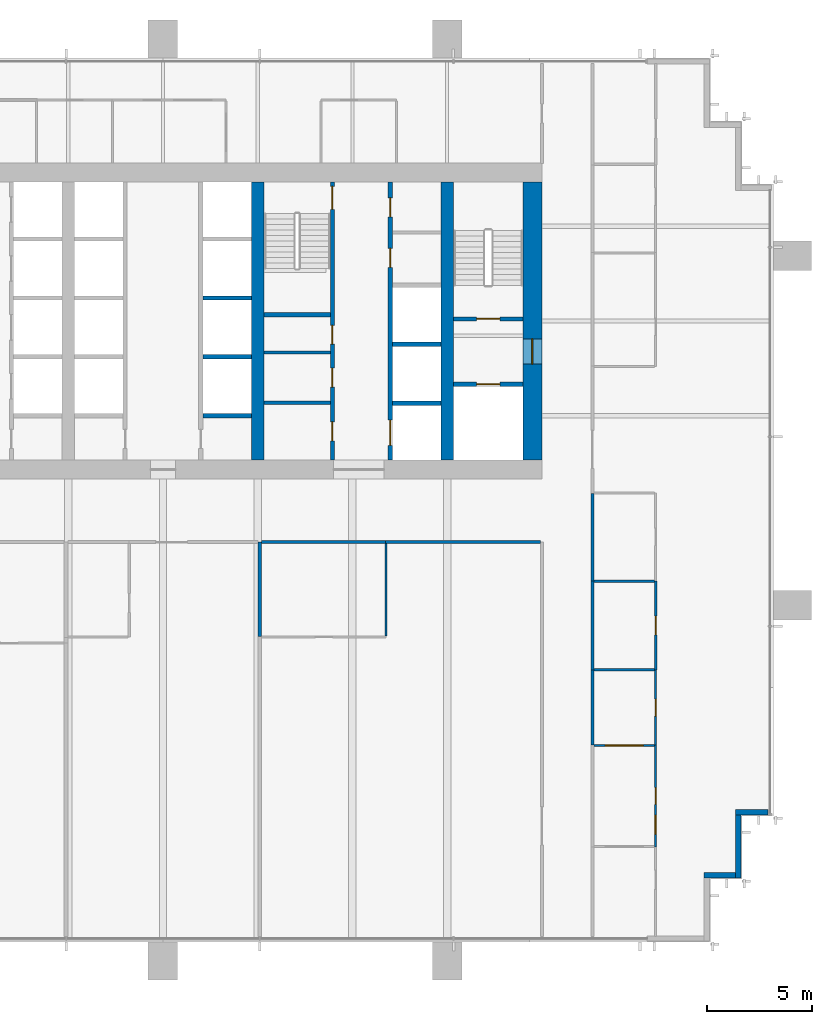
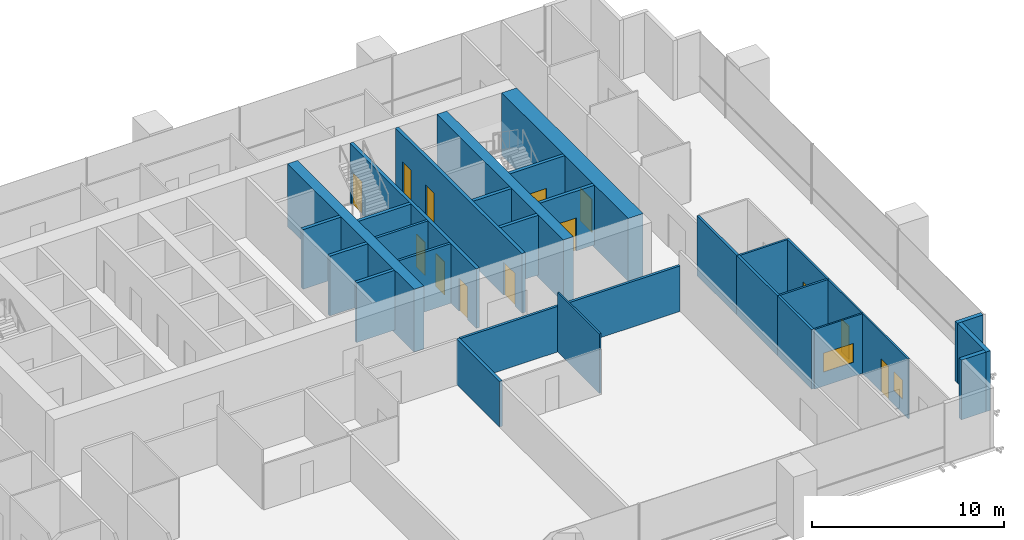
# One storey, part 12 of 15: 31 walls, 13 doors, 2 windows, 15 openings.
"""IFC4 building model written with IfcOpenShell, lengths in metres."""

import ifcopenshell
import ifcopenshell.guid

model = None  # the IFC model being written
_history = None  # IfcOwnerHistory: only IFC2X3 demands one
_inside = {}  # id of a spatial element -> (the spatial element, [elements in it])
_under = {}  # id of a project, library or spatial element -> (it, [spatial elements below it])
_declared = {}  # id of a project -> (the project, [libraries it declares])
_typed = {}  # id of a type object -> (the type object, [elements of that type])
_made_of = {}  # id of a material, layer set ... -> (it, [elements and type objects made of it])


def new_model(schema):
    """Start an empty IFC model of exactly this schema.

    Asked for "IFC4X3", IfcOpenShell would pick the latest addendum, in which some entities
    have other attributes; the version numbers below select the first issue.
    IFC2X3 requires an IfcOwnerHistory on every rooted entity: one is made here for all.
    """
    global model, _history
    if schema == "IFC4X3":
        model = ifcopenshell.file(schema_version=(4, 3, 0, 0))
    else:
        model = ifcopenshell.file(schema=schema)
    _inside.clear()
    _under.clear()
    _declared.clear()
    _typed.clear()
    _made_of.clear()
    _history = None
    if model.schema == "IFC2X3":
        org = make("IfcOrganization", Name="unknown")
        user = make(
            "IfcPersonAndOrganization",
            ThePerson=make("IfcPerson", FamilyName="unknown"),
            TheOrganization=org,
        )
        app = make(
            "IfcApplication",
            ApplicationDeveloper=org,
            Version="unknown",
            ApplicationFullName="unknown",
            ApplicationIdentifier="unknown",
        )
        _history = make(
            "IfcOwnerHistory",
            OwningUser=user,
            OwningApplication=app,
            ChangeAction="ADDED",
            CreationDate=0,
        )
    return model


def make(cls, **values):
    """One entity of the class cls with the attributes given. An attribute that is None is left unset."""
    return model.create_entity(
        cls, **{name: value for name, value in values.items() if value is not None}
    )


def rooted(cls, **values):
    """An entity with a GlobalId (a new one), such as an element, a storey or a relation."""
    return make(cls, GlobalId=ifcopenshell.guid.new(), OwnerHistory=_history, **values)


def si_unit(unit_type, name, prefix=None):
    """IfcSIUnit, for example si_unit("LENGTHUNIT", "METRE", prefix="MILLI")."""
    return make("IfcSIUnit", UnitType=unit_type, Prefix=prefix, Name=name)


def assignment(units):
    """IfcUnitAssignment: the units of a project."""
    return None if units is None else make("IfcUnitAssignment", Units=units)


def point(xyz):
    """IfcCartesianPoint."""
    return None if xyz is None else make("IfcCartesianPoint", Coordinates=xyz)


def direction(xyz):
    """IfcDirection."""
    return None if xyz is None else make("IfcDirection", DirectionRatios=xyz)


def frame(location, z_axis=None, x_axis=None):
    """IfcAxis2Placement3D, a coordinate frame: its origin and axes. An axis left out is left unset."""
    return make(
        "IfcAxis2Placement3D",
        Location=point(location),
        Axis=direction(z_axis),
        RefDirection=direction(x_axis),
    )


def frame_2d(location, x_axis=None):
    """IfcAxis2Placement2D, a coordinate frame in the plane: its origin and x axis."""
    return make(
        "IfcAxis2Placement2D", Location=point(location), RefDirection=direction(x_axis)
    )


def origin():
    """The frame at (0, 0, 0) with its axes left unset."""
    return frame((0.0, 0.0, 0.0))


def place(relative_to, where):
    """IfcLocalPlacement: puts the frame where relative to a parent placement (None: the world)."""
    return make(
        "IfcLocalPlacement", PlacementRelTo=relative_to, RelativePlacement=where
    )


def context(
    kind, dimensions, precision=None, world=None, true_north=None, identifier=None
):
    """IfcGeometricRepresentationContext, for example the 3D "Model" context."""
    return make(
        "IfcGeometricRepresentationContext",
        ContextIdentifier=identifier,
        ContextType=kind,
        CoordinateSpaceDimension=dimensions,
        Precision=precision,
        WorldCoordinateSystem=world,
        TrueNorth=true_north,
    )


def subcontext(parent, identifier, kind, view, scale=None):
    """IfcGeometricRepresentationSubContext, for example "Body" below "Model"."""
    return make(
        "IfcGeometricRepresentationSubContext",
        ContextIdentifier=identifier,
        ContextType=kind,
        ParentContext=parent,
        TargetScale=scale,
        TargetView=view,
    )


def project(units=None, contexts=None):
    """IfcProject with its units and contexts."""
    return rooted(
        "IfcProject",
        Name="project",
        RepresentationContexts=contexts,
        UnitsInContext=assignment(units),
    )


def spatial(cls, under=None, at=None, **own):
    """A site, building, storey or space (cls), placed at a placement, below another one or the project."""
    s = rooted(cls, ObjectPlacement=at, **own)
    if under is not None:
        _under.setdefault(under.id(), (under, []))[1].append(s)
    return s


def profile(cls, at=None, kind="AREA", **sizes):
    """A parametric profile (cls). Its sizes go by their IFC names, for example OverallWidth=200.0."""
    return make(cls, ProfileType=kind, Position=at, **sizes)


def rectangle(**sizes):
    """IfcRectangleProfileDef."""
    return profile("IfcRectangleProfileDef", **sizes)


def extrude(swept, where, along, depth):
    """IfcExtrudedAreaSolid: the profile swept, set in the frame where, extruded along a direction by depth."""
    return make(
        "IfcExtrudedAreaSolid",
        SweptArea=swept,
        Position=where,
        ExtrudedDirection=direction(along),
        Depth=depth,
    )


def shape(context_of_items, identifier, shape_type, items):
    """IfcShapeRepresentation: the items that make up one representation, for example the "Body"."""
    return make(
        "IfcShapeRepresentation",
        ContextOfItems=context_of_items,
        RepresentationIdentifier=identifier,
        RepresentationType=shape_type,
        Items=items,
    )


def material(Name=None, Category=None):
    """IfcMaterial."""
    return make("IfcMaterial", Name=Name, Category=Category)


def layer(
    of_material, thickness, ventilated=None, Name=None, Category=None, Priority=None
):
    """IfcMaterialLayer: one layer of a wall or slab, of a material (None: an air gap)."""
    return make(
        "IfcMaterialLayer",
        Material=of_material,
        LayerThickness=thickness,
        IsVentilated=ventilated,
        Name=Name,
        Category=Category,
        Priority=Priority,
    )


def layer_set(layers, Name=None):
    """IfcMaterialLayerSet."""
    return make("IfcMaterialLayerSet", MaterialLayers=layers, LayerSetName=Name)


def made_of(thing, what):
    """Note that an element or type object is made of a material, layer set ...; save() writes the relation."""
    if what is not None:
        _made_of.setdefault(what.id(), (what, []))[1].append(thing)
    return thing


def type_object(cls, material=None, **own):
    """A type object (cls), such as IfcWallType, which elements share."""
    return made_of(rooted(cls, **own), material)


def element(
    cls,
    number,
    at=None,
    inside=None,
    cuts=None,
    type_object=None,
    material=None,
    context=None,
    identifier="Body",
    shape_type=None,
    held_by="IfcProductDefinitionShape",
    body=None,
    shapes=None,
    **own,
):
    """One element of the class cls, such as IfcWall. Its Tag is "e" and its number.

    at: its placement. inside: the storey or other place that contains it. cuts: it is an
    opening in that element (IfcRelVoidsElement). A single representation is given by context,
    identifier, shape_type and body (its items); several are given by shapes. held_by: the class
    of the entity that holds the representations. save() writes the other relations.
    """
    e = rooted(cls, Tag="e%d" % number, ObjectPlacement=at, **own)
    if body is not None:
        shapes = [shape(context, identifier, shape_type, body)]
    if shapes is not None:
        e.Representation = make(held_by, Representations=shapes)
    if inside is not None:
        _inside.setdefault(inside.id(), (inside, []))[1].append(e)
    if cuts is not None:
        rooted(
            "IfcRelVoidsElement", RelatingBuildingElement=cuts, RelatedOpeningElement=e
        )
    if type_object is not None:
        _typed.setdefault(type_object.id(), (type_object, []))[1].append(e)
    return made_of(e, material)


def fill(opening, filler):
    """IfcRelFillsElement: the door or window that sits in an opening."""
    return rooted(
        "IfcRelFillsElement",
        RelatingOpeningElement=opening,
        RelatedBuildingElement=filler,
    )


def aggregate(whole, parts):
    """IfcRelAggregates: a whole, such as a stair, and the parts it consists of."""
    return rooted("IfcRelAggregates", RelatingObject=whole, RelatedObjects=parts)


def save(model, path):
    """Write the relations noted so far, then the file.

    IfcRelAggregates (storeys below a building ...), IfcRelContainedInSpatialStructure (elements
    in a storey), IfcRelDefinesByType, IfcRelAssociatesMaterial and IfcRelDeclares: one each for
    every whole, place, type object, material and project.
    """
    for whole, parts in _under.values():
        aggregate(whole, parts)
    for where, things in _inside.values():
        rooted(
            "IfcRelContainedInSpatialStructure",
            RelatedElements=things,
            RelatingStructure=where,
        )
    for kind, things in _typed.values():
        rooted("IfcRelDefinesByType", RelatedObjects=things, RelatingType=kind)
    for what, things in _made_of.values():
        rooted("IfcRelAssociatesMaterial", RelatedObjects=things, RelatingMaterial=what)
    for by, libraries in _declared.values():
        rooted("IfcRelDeclares", RelatingContext=by, RelatedDefinitions=libraries)
    model.write(path)


model = new_model("IFC4")

# Units and contexts
model_context = context("Model", 3, precision=1e-05, world=origin(), true_north=direction((0.0, 1.0)))
body_context = subcontext(model_context, "Body", "Model", "MODEL_VIEW")
ifc_project = project(units=[si_unit("LENGTHUNIT", "METRE"), si_unit("AREAUNIT", "SQUARE_METRE"), si_unit("VOLUMEUNIT", "CUBIC_METRE"), si_unit("PLANEANGLEUNIT", "RADIAN"), si_unit("MASSUNIT", "GRAM", prefix="KILO")], contexts=[model_context])

# Site, building, storey
site_placement = place(None, origin())
site = spatial("IfcSite", under=ifc_project, at=site_placement, CompositionType="ELEMENT")
building_placement = place(site_placement, origin())
building = spatial("IfcBuilding", under=site, at=building_placement, Name="Rattan Terrace Tower", CompositionType="ELEMENT")
storey_placement = place(building_placement, frame((0.0, 0.0, 142.10009765625)))
storey = spatial("IfcBuildingStorey", under=building, at=storey_placement, Name="L32", CompositionType="ELEMENT", Elevation=142.10009765625)

# Walls
ifc_material_1 = material(Name="Gypsum board partition")
ifc_layer_1 = layer(ifc_material_1, 0.14990234375)
ifc_layer_set_1 = layer_set([ifc_layer_1], Name="Core partition 150")
wall_type_1 = type_object("IfcWallType", Name="Core partition 150", PredefinedType="PARTITIONING", material=ifc_layer_set_1)
for number, where, z_axis, x_axis, name in (
    (1, (4.800048828125, -3.8798828125, 0.0), (0.0, 0.0, 1.0), (1.0, 0.0, 0.0), "Toilet wall"),
    (2, (4.800048828125, -1.5, 0.0), (0.0, 0.0, 1.0), (1.0, 0.0, 0.0), "Toilet wall"),
):
    element("IfcWall", number, at=place(storey_placement, frame(where, z_axis=z_axis, x_axis=x_axis)), inside=storey, type_object=wall_type_1, Name=name, PredefinedType="PARTITIONING", context=body_context, shape_type="SweptSolid", body=[
        extrude(rectangle(XDim=3.14990234375, YDim=0.14990234375, at=frame_2d((1.574951171875, 0.0))), origin(), (0.0, 0.0, 1.0), 3.7998046875),
    ])

# Wall, opening, door
ifc_material_2 = material(Name="Gypsum board partition")
ifc_layer_2 = layer(ifc_material_2, 0.199951171875)
ifc_layer_set_2 = layer_set([ifc_layer_2], Name="Core partition 200")
wall_type_2 = type_object("IfcWallType", Name="Core partition 200", PredefinedType="PARTITIONING", material=ifc_layer_set_2)
wall_1_placement = place(storey_placement, frame((13.800048828125, -3.0, 0.0), z_axis=(0.0, 0.0, 1.0), x_axis=(1.0, 0.0, 0.0)))
wall_1 = element("IfcWall", 3, at=wall_1_placement, inside=storey, type_object=wall_type_2, Name="Fire-fighting lobby wall", PredefinedType="PARTITIONING", context=body_context, shape_type="SweptSolid", body=[
    extrude(rectangle(XDim=3.300048828125, YDim=0.199951171875, at=frame_2d((1.64990234375, 0.0))), origin(), (0.0, 0.0, 1.0), 3.7998046875),
])
opening_1_placement = place(wall_1_placement, frame((1.10009765625, 0.0, 0.0)))
opening_1 = element("IfcOpeningElement", 4, at=opening_1_placement, cuts=wall_1, Name="Opening L32-LD-FF2", PredefinedType="OPENING", context=body_context, shape_type="SweptSolid", body=[
    extrude(rectangle(XDim=1.10009765625, YDim=2.10009765625, at=frame_2d((0.550048828125, 1.050048828125))), frame((0.0, 0.110595703125, 0.0), z_axis=(0.0, -1.0, 0.0), x_axis=(1.0, 0.0, 0.0)), (0.0, 0.0, 1.0), 0.220947265625),
])
ifc_material_3 = material(Name="Brushed stainless landing door panel")
door_type_1 = type_object("IfcDoorType", Name="Core lift landing door 1100", OperationType="DOUBLE_DOOR_SLIDING", PredefinedType="DOOR", material=ifc_material_3)
door_1_placement = place(opening_1_placement, origin())
door_1 = element("IfcDoor", 5, at=door_1_placement, inside=storey, type_object=door_type_1, Name="Door L32-LD-FF2", OperationType="DOUBLE_DOOR_SLIDING", OverallHeight=2.10009765625, OverallWidth=1.10009765625, PredefinedType="DOOR", context=body_context, shape_type="SweptSolid", body=[
    extrude(rectangle(XDim=1.10009765625, YDim=2.10009765625, at=frame_2d((0.550048828125, 1.050048828125))), frame((0.0, 0.02490234375, 0.0), z_axis=(0.0, -1.0, 0.0), x_axis=(1.0, 0.0, 0.0)), (0.0, 0.0, 1.0), 0.050048828125),
])
fill(opening_1, door_1)

wall_2_placement = place(storey_placement, frame((13.800048828125, 0.10009765625, 0.0), z_axis=(0.0, 0.0, 1.0), x_axis=(1.0, 0.0, 0.0)))
wall_2 = element("IfcWall", 6, at=wall_2_placement, inside=storey, type_object=wall_type_2, Name="Stair enclosure wall", PredefinedType="PARTITIONING", context=body_context, shape_type="SweptSolid", body=[
    extrude(rectangle(XDim=3.300048828125, YDim=0.199951171875, at=frame_2d((1.64990234375, 0.0))), origin(), (0.0, 0.0, 1.0), 3.7998046875),
])
opening_2_placement = place(wall_2_placement, frame((1.10009765625, 0.0, 0.0)))
opening_2 = element("IfcOpeningElement", 7, at=opening_2_placement, cuts=wall_2, Name="Opening L32-D004", PredefinedType="OPENING", context=body_context, shape_type="SweptSolid", body=[
    extrude(rectangle(XDim=1.10009765625, YDim=2.10009765625, at=frame_2d((0.550048828125, 1.050048828125))), frame((0.0, 0.110595703125, 0.0), z_axis=(0.0, -1.0, 0.0), x_axis=(1.0, 0.0, 0.0)), (0.0, 0.0, 1.0), 0.220947265625),
])
ifc_material_4 = material(Name="Hollow-metal fire door leaf")
door_type_2 = type_object("IfcDoorType", Name="Core stair door 1100", OperationType="NOTDEFINED", PredefinedType="DOOR", material=ifc_material_4)
door_2_placement = place(opening_2_placement, origin())
door_2 = element("IfcDoor", 8, at=door_2_placement, inside=storey, type_object=door_type_2, Name="Door L32-D004", OperationType="SINGLE_SWING_RIGHT", OverallHeight=2.10009765625, OverallWidth=1.10009765625, PredefinedType="DOOR", context=body_context, shape_type="SweptSolid", body=[
    extrude(rectangle(XDim=1.10009765625, YDim=2.10009765625, at=frame_2d((0.550048828125, 1.050048828125))), frame((0.0, 0.02490234375, 0.0), z_axis=(0.0, -1.0, 0.0), x_axis=(1.0, 0.0, 0.0)), (0.0, 0.0, 1.0), 0.050048828125),
])
fill(opening_2, door_2)

# Wall, openings, doors
wall_3_placement = place(storey_placement, frame((8.050048828125, -6.60009765625, 0.0), z_axis=(0.0, 0.0, 1.0), x_axis=(0.0, 1.0, 0.0)))
wall_3 = element("IfcWall", 9, at=wall_3_placement, inside=storey, type_object=wall_type_2, Name="Lobby wall west", PredefinedType="PARTITIONING", context=body_context, shape_type="SweptSolid", body=[
    extrude(rectangle(XDim=13.2001953125, YDim=0.199951171875, at=frame_2d((6.60009765625, 0.0))), origin(), (0.0, 0.0, 1.0), 3.7998046875),
])
opening_3_placement = place(wall_3_placement, frame((0.909912109375, 0.0, 0.0)))
opening_3 = element("IfcOpeningElement", 10, at=opening_3_placement, cuts=wall_3, Name="Opening L32-D011", PredefinedType="OPENING", context=body_context, shape_type="SweptSolid", body=[
    extrude(rectangle(XDim=0.89990234375, YDim=2.10009765625, at=frame_2d((0.449951171875, 1.050048828125))), frame((0.0, 0.110595703125, 0.0), z_axis=(0.0, -1.0, 0.0), x_axis=(1.0, 0.0, 0.0)), (0.0, 0.0, 1.0), 0.220947265625),
])
opening_4_placement = place(wall_3_placement, frame((3.4599609375, 0.0, 0.0)))
opening_4 = element("IfcOpeningElement", 11, at=opening_4_placement, cuts=wall_3, Name="Opening L32-D012", PredefinedType="OPENING", context=body_context, shape_type="SweptSolid", body=[
    extrude(rectangle(XDim=0.89990234375, YDim=2.10009765625, at=frame_2d((0.449951171875, 1.050048828125))), frame((0.0, 0.110595703125, 0.0), z_axis=(0.0, -1.0, 0.0), x_axis=(1.0, 0.0, 0.0)), (0.0, 0.0, 1.0), 0.220947265625),
])
opening_5_placement = place(wall_3_placement, frame((5.5, 0.0, 0.0)))
opening_5 = element("IfcOpeningElement", 12, at=opening_5_placement, cuts=wall_3, Name="Opening L32-D013", PredefinedType="OPENING", context=body_context, shape_type="SweptSolid", body=[
    extrude(rectangle(XDim=0.89990234375, YDim=2.10009765625, at=frame_2d((0.449951171875, 1.050048828125))), frame((0.0, 0.110595703125, 0.0), z_axis=(0.0, -1.0, 0.0), x_axis=(1.0, 0.0, 0.0)), (0.0, 0.0, 1.0), 0.220947265625),
])
opening_6_placement = place(wall_3_placement, frame((11.89990234375, 0.0, 0.0)))
opening_6 = element("IfcOpeningElement", 13, at=opening_6_placement, cuts=wall_3, Name="Opening L32-D014", PredefinedType="OPENING", context=body_context, shape_type="SweptSolid", body=[
    extrude(rectangle(XDim=1.10009765625, YDim=2.10009765625, at=frame_2d((0.550048828125, 1.050048828125))), frame((0.0, 0.110595703125, 0.0), z_axis=(0.0, -1.0, 0.0), x_axis=(1.0, 0.0, 0.0)), (0.0, 0.0, 1.0), 0.220947265625),
])
ifc_material_5 = material(Name="Hollow-metal fire door leaf")
door_type_3 = type_object("IfcDoorType", Name="Core service room door 900", OperationType="NOTDEFINED", PredefinedType="DOOR", material=ifc_material_5)
door_3_placement = place(opening_5_placement, origin())
door_3 = element("IfcDoor", 14, at=door_3_placement, inside=storey, type_object=door_type_3, Name="Door L32-D013", OperationType="SINGLE_SWING_RIGHT", OverallHeight=2.10009765625, OverallWidth=0.89990234375, PredefinedType="DOOR", context=body_context, shape_type="SweptSolid", body=[
    extrude(rectangle(XDim=0.89990234375, YDim=2.10009765625, at=frame_2d((0.449951171875, 1.050048828125))), frame((0.0, 0.02490234375, 0.0), z_axis=(0.0, -1.0, 0.0), x_axis=(1.0, 0.0, 0.0)), (0.0, 0.0, 1.0), 0.050048828125),
])
fill(opening_5, door_3)
door_4_placement = place(opening_6_placement, origin())
door_4 = element("IfcDoor", 15, at=door_4_placement, inside=storey, type_object=door_type_2, Name="Door L32-D014", OperationType="SINGLE_SWING_LEFT", OverallHeight=2.10009765625, OverallWidth=1.10009765625, PredefinedType="DOOR", context=body_context, shape_type="SweptSolid", body=[
    extrude(rectangle(XDim=1.10009765625, YDim=2.10009765625, at=frame_2d((0.550048828125, 1.050048828125))), frame((0.0, 0.02490234375, 0.0), z_axis=(0.0, -1.0, 0.0), x_axis=(1.0, 0.0, 0.0)), (0.0, 0.0, 1.0), 0.050048828125),
])
fill(opening_6, door_4)
ifc_material_6 = material(Name="Hollow-metal fire door leaf")
door_type_4 = type_object("IfcDoorType", Name="Core toilet door 900", OperationType="NOTDEFINED", PredefinedType="DOOR", material=ifc_material_6)
door_5_placement = place(opening_3_placement, origin())
door_5 = element("IfcDoor", 16, at=door_5_placement, inside=storey, type_object=door_type_4, Name="Door L32-D011", OperationType="SINGLE_SWING_RIGHT", OverallHeight=2.10009765625, OverallWidth=0.89990234375, PredefinedType="DOOR", context=body_context, shape_type="SweptSolid", body=[
    extrude(rectangle(XDim=0.89990234375, YDim=2.10009765625, at=frame_2d((0.449951171875, 1.050048828125))), frame((0.0, 0.02490234375, 0.0), z_axis=(0.0, -1.0, 0.0), x_axis=(1.0, 0.0, 0.0)), (0.0, 0.0, 1.0), 0.050048828125),
])
fill(opening_3, door_5)
door_6_placement = place(opening_4_placement, origin())
door_6 = element("IfcDoor", 17, at=door_6_placement, inside=storey, type_object=door_type_4, Name="Door L32-D012", OperationType="SINGLE_SWING_LEFT", OverallHeight=2.10009765625, OverallWidth=0.89990234375, PredefinedType="DOOR", context=body_context, shape_type="SweptSolid", body=[
    extrude(rectangle(XDim=0.89990234375, YDim=2.10009765625, at=frame_2d((0.449951171875, 1.050048828125))), frame((0.0, 0.02490234375, 0.0), z_axis=(0.0, -1.0, 0.0), x_axis=(1.0, 0.0, 0.0)), (0.0, 0.0, 1.0), 0.050048828125),
])
fill(opening_4, door_6)

# Wall
wall_4_placement = place(storey_placement, frame((4.800048828125, 0.300048828125, 0.0), z_axis=(0.0, 0.0, 1.0), x_axis=(1.0, 0.0, 0.0)))
element("IfcWall", 18, at=wall_4_placement, inside=storey, type_object=wall_type_2, Name="Stair enclosure wall", PredefinedType="PARTITIONING", context=body_context, shape_type="SweptSolid", body=[
    extrude(rectangle(XDim=3.14990234375, YDim=0.199951171875, at=frame_2d((1.574951171875, 0.0))), origin(), (0.0, 0.0, 1.0), 3.7998046875),
])

# Wall, opening, door
ifc_material_7 = material(Name="Concrete C60/75", Category="concrete")
ifc_layer_3 = layer(ifc_material_7, 0.89990234375)
ifc_layer_set_3 = layer_set([ifc_layer_3], Name="Core ring wall 900 C60/75")
wall_type_3 = type_object("IfcWallType", Name="Core ring wall 900 C60/75", PredefinedType="SHEAR", material=ifc_layer_set_3)
wall_5_placement = place(storey_placement, frame((17.550048828125, -6.60009765625, -0.2001953125), z_axis=(0.0, 0.0, 1.0), x_axis=(0.0, 1.0, 0.0)))
wall_5 = element("IfcWall", 19, at=wall_5_placement, inside=storey, type_object=wall_type_3, Name="Rear core wall east", PredefinedType="SHEAR", context=body_context, shape_type="SweptSolid", body=[
    extrude(rectangle(XDim=13.2001953125, YDim=0.89990234375, at=frame_2d((6.60009765625, 0.0))), origin(), (0.0, 0.0, 1.0), 4.0),
])
opening_7_placement = place(wall_5_placement, frame((4.550048828125, 0.0, 0.199951171875)))
opening_7 = element("IfcOpeningElement", 20, at=opening_7_placement, cuts=wall_5, Name="Opening L32-D003", PredefinedType="OPENING", context=body_context, shape_type="SweptSolid", body=[
    extrude(rectangle(XDim=1.199951171875, YDim=2.10009765625, at=frame_2d((0.60009765625, 1.050048828125))), frame((0.0, 0.46044921875, 0.0), z_axis=(0.0, -1.0, 0.0), x_axis=(1.0, 0.0, 0.0)), (0.0, 0.0, 1.0), 0.9208984375),
])
ifc_material_8 = material(Name="Hollow-metal fire door leaf")
door_type_5 = type_object("IfcDoorType", Name="Core fire-fighting lobby door 1200", OperationType="NOTDEFINED", PredefinedType="DOOR", material=ifc_material_8)
door_7_placement = place(opening_7_placement, origin())
door_7 = element("IfcDoor", 21, at=door_7_placement, inside=storey, type_object=door_type_5, Name="Door L32-D003", OperationType="SINGLE_SWING_LEFT", OverallHeight=2.10009765625, OverallWidth=1.199951171875, PredefinedType="DOOR", context=body_context, shape_type="SweptSolid", body=[
    extrude(rectangle(XDim=1.199951171875, YDim=2.10009765625, at=frame_2d((0.60009765625, 1.050048828125))), frame((0.0, 0.02490234375, 0.0), z_axis=(0.0, -1.0, 0.0), x_axis=(1.0, 0.0, 0.0)), (0.0, 0.0, 1.0), 0.050048828125),
])
fill(opening_7, door_7)

# Walls
ifc_material_9 = material(Name="Concrete C60/75", Category="concrete")
ifc_layer_4 = layer(ifc_material_9, 0.60009765625)
ifc_layer_set_4 = layer_set([ifc_layer_4], Name="Core spine wall 600 C60/75")
wall_type_4 = type_object("IfcWallType", Name="Core spine wall 600 C60/75", PredefinedType="SHEAR", material=ifc_layer_set_4)
for number, where, z_axis, x_axis, name in (
    (22, (4.5, -6.60009765625, -0.2001953125), (0.0, 0.0, 1.0), (0.0, 1.0, 0.0), "Core spine wall 3"),
    (23, (13.5, -6.60009765625, -0.2001953125), (0.0, 0.0, 1.0), (0.0, 1.0, 0.0), "Core spine wall 4"),
):
    element("IfcWall", number, at=place(storey_placement, frame(where, z_axis=z_axis, x_axis=x_axis)), inside=storey, type_object=wall_type_4, Name=name, PredefinedType="SHEAR", context=body_context, shape_type="SweptSolid", body=[
        extrude(rectangle(XDim=13.2001953125, YDim=0.60009765625, at=frame_2d((6.60009765625, 0.0))), origin(), (0.0, 0.0, 1.0), 4.0),
    ])
ifc_material_10 = material(Name="Insulated aluminium-clad stud wall", Category="aluminium")
ifc_layer_5 = layer(ifc_material_10, 0.25)
ifc_layer_set_5 = layer_set([ifc_layer_5], Name="Facade Riser Wall 250")
wall_type_5 = type_object("IfcWallType", Name="Facade Riser Wall 250", PredefinedType="SOLIDWALL", material=ifc_layer_set_5)
wall_6_placement = place(storey_placement, frame((25.705078125, -26.330078125, 0.0), z_axis=(0.0, 0.0, 1.0), x_axis=(1.0, 0.0, 0.0)))
element("IfcWall", 24, at=wall_6_placement, inside=storey, type_object=wall_type_5, Name="Riser wall L32-3", PredefinedType="SOLIDWALL", context=body_context, shape_type="SweptSolid", body=[
    extrude(rectangle(XDim=1.5, YDim=0.25, at=frame_2d((0.75, 0.0))), origin(), (0.0, 0.0, 1.0), 3.7998046875),
])
wall_7_placement = place(storey_placement, frame((27.330078125, -26.455078125, 0.0), z_axis=(0.0, 0.0, 1.0), x_axis=(0.0, 1.0, 0.0)))
element("IfcWall", 25, at=wall_7_placement, inside=storey, type_object=wall_type_5, Name="Riser wall L32-4", PredefinedType="SOLIDWALL", context=body_context, shape_type="SweptSolid", body=[
    extrude(rectangle(XDim=3.0, YDim=0.25, at=frame_2d((1.5, 0.0))), origin(), (0.0, 0.0, 1.0), 3.7998046875),
])
wall_8_placement = place(storey_placement, frame((27.205078125, -23.330078125, 0.0), z_axis=(0.0, 0.0, 1.0), x_axis=(1.0, 0.0, 0.0)))
element("IfcWall", 26, at=wall_8_placement, inside=storey, type_object=wall_type_5, Name="Riser wall L32-5", PredefinedType="SOLIDWALL", context=body_context, shape_type="SweptSolid", body=[
    extrude(rectangle(XDim=1.544921875, YDim=0.25, at=frame_2d((0.7724609375, 0.0))), origin(), (0.0, 0.0, 1.0), 3.7998046875),
])
ifc_material_11 = material(Name="Double steel stud acoustic partition, gypsum board, mineral wool, fire rated", Category="steel")
ifc_layer_6 = layer(ifc_material_11, 0.179931640625)
ifc_layer_set_6 = layer_set([ifc_layer_6], Name="Floors Acoustic Party Wall 180")
wall_type_6 = type_object("IfcWallType", Name="Floors Acoustic Party Wall 180", PredefinedType="PARTITIONING", material=ifc_layer_set_6)
wall_9_placement = place(storey_placement, frame((4.60009765625, -10.5, 0.0), z_axis=(0.0, 0.0, 1.0), x_axis=(0.0, -1.0, 0.0)))
element("IfcWall", 27, at=wall_9_placement, inside=storey, type_object=wall_type_6, Name="pt-L32-082", PredefinedType="PARTITIONING", context=body_context, shape_type="SweptSolid", body=[
    extrude(rectangle(XDim=4.47998046875, YDim=0.179931640625, at=frame_2d((2.239990234375, 0.0))), origin(), (0.0, 0.0, 1.0), 2.89990234375),
])

# Wall, openings, door, window
ifc_material_12 = material(Name="Gypsum board partition on steel studs", Category="steel")
ifc_layer_7 = layer(ifc_material_12, 0.10009765625)
ifc_layer_set_7 = layer_set([ifc_layer_7], Name="Floors Partition 100")
wall_type_7 = type_object("IfcWallType", Name="Floors Partition 100", PredefinedType="PARTITIONING", material=ifc_layer_set_7)
wall_10_placement = place(storey_placement, frame((23.39990234375, -24.97998046875, 0.0), z_axis=(0.0, 0.0, 1.0), x_axis=(0.0, 1.0, 0.0)))
wall_10 = element("IfcWall", 28, at=wall_10_placement, inside=storey, type_object=wall_type_7, Name="pt-L32-046", PredefinedType="PARTITIONING", context=body_context, shape_type="SweptSolid", body=[
    extrude(rectangle(XDim=4.840087890625, YDim=0.10009765625, at=frame_2d((2.419921875, 0.0))), origin(), (0.0, 0.0, 1.0), 3.7998046875),
])
opening_8_placement = place(wall_10_placement, frame((2.02001953125, 0.0, 0.0)))
opening_8 = element("IfcOpeningElement", 29, at=opening_8_placement, cuts=wall_10, Name="Opening L32-D110", PredefinedType="OPENING", context=body_context, shape_type="SweptSolid", body=[
    extrude(rectangle(XDim=0.800048828125, YDim=2.10009765625, at=frame_2d((0.39990234375, 1.050048828125))), frame((0.0, 0.060546875, 0.0), z_axis=(0.0, -1.0, 0.0), x_axis=(1.0, 0.0, 0.0)), (0.0, 0.0, 1.0), 0.12109375),
])
opening_9_placement = place(wall_10_placement, frame((0.594970703125, 0.0, 0.89990234375)))
opening_9 = element("IfcOpeningElement", 30, at=opening_9_placement, cuts=wall_10, Name="Opening L32-W101", PredefinedType="OPENING", context=body_context, shape_type="SweptSolid", body=[
    extrude(rectangle(XDim=0.89990234375, YDim=1.199951171875, at=frame_2d((0.449951171875, 0.60009765625))), frame((0.0, 0.060546875, 0.0), z_axis=(0.0, -1.0, 0.0), x_axis=(1.0, 0.0, 0.0)), (0.0, 0.0, 1.0), 0.12109375),
])
ifc_material_13 = material(Name="Solid core timber door, painted", Category="wood")
door_type_6 = type_object("IfcDoorType", Name="Floors Store Door 800x2100", OperationType="NOTDEFINED", PredefinedType="DOOR", material=ifc_material_13)
door_8_placement = place(opening_8_placement, origin())
door_8 = element("IfcDoor", 31, at=door_8_placement, inside=storey, type_object=door_type_6, Name="d-L32-110", OperationType="SINGLE_SWING_LEFT", OverallHeight=2.10009765625, OverallWidth=0.800048828125, PredefinedType="DOOR", context=body_context, shape_type="SweptSolid", body=[
    extrude(rectangle(XDim=0.800048828125, YDim=2.10009765625, at=frame_2d((0.39990234375, 1.050048828125))), frame((0.0, 0.02490234375, 0.0), z_axis=(0.0, -1.0, 0.0), x_axis=(1.0, 0.0, 0.0)), (0.0, 0.0, 1.0), 0.050048828125),
])
fill(opening_8, door_8)
ifc_material_14 = material(Name="Glass, clear, fixed in aluminium frame", Category="aluminium")
window_type_1 = type_object("IfcWindowType", Name="Interior Vision Window 900x1200", PartitioningType="SINGLE_PANEL", PredefinedType="WINDOW", material=ifc_material_14)
window_1_placement = place(opening_9_placement, origin())
window_1 = element("IfcWindow", 32, at=window_1_placement, inside=storey, type_object=window_type_1, Name="w-L32-101", OverallHeight=1.199951171875, OverallWidth=0.89990234375, PartitioningType="SINGLE_PANEL", PredefinedType="WINDOW", context=body_context, shape_type="SweptSolid", body=[
    extrude(rectangle(XDim=0.89990234375, YDim=1.199951171875, at=frame_2d((0.449951171875, 0.60009765625))), frame((0.0, 0.030029296875, 0.0), z_axis=(0.0, -1.0, 0.0), x_axis=(1.0, 0.0, 0.0)), (0.0, 0.0, 1.0), 0.06005859375),
])
fill(opening_9, window_1)

# Wall, opening, door
wall_11_placement = place(storey_placement, frame((23.39990234375, -20.139892578125, 0.0), z_axis=(0.0, 0.0, 1.0), x_axis=(0.0, 1.0, 0.0)))
wall_11 = element("IfcWall", 33, at=wall_11_placement, inside=storey, type_object=wall_type_7, Name="pt-L32-047", PredefinedType="PARTITIONING", context=body_context, shape_type="SweptSolid", body=[
    extrude(rectangle(XDim=3.559814453125, YDim=0.10009765625, at=frame_2d((1.77978515625, 0.0))), origin(), (0.0, 0.0, 1.0), 3.7998046875),
])
opening_10_placement = place(wall_11_placement, frame((1.3798828125, 0.0, 0.0)))
opening_10 = element("IfcOpeningElement", 34, at=opening_10_placement, cuts=wall_11, Name="Opening L32-D111", PredefinedType="OPENING", context=body_context, shape_type="SweptSolid", body=[
    extrude(rectangle(XDim=0.800048828125, YDim=2.10009765625, at=frame_2d((0.39990234375, 1.050048828125))), frame((0.0, 0.060546875, 0.0), z_axis=(0.0, -1.0, 0.0), x_axis=(1.0, 0.0, 0.0)), (0.0, 0.0, 1.0), 0.12109375),
])
door_9_placement = place(opening_10_placement, origin())
door_9 = element("IfcDoor", 35, at=door_9_placement, inside=storey, type_object=door_type_6, Name="d-L32-111", OperationType="SINGLE_SWING_RIGHT", OverallHeight=2.10009765625, OverallWidth=0.800048828125, PredefinedType="DOOR", context=body_context, shape_type="SweptSolid", body=[
    extrude(rectangle(XDim=0.800048828125, YDim=2.10009765625, at=frame_2d((0.39990234375, 1.050048828125))), frame((0.0, 0.02490234375, 0.0), z_axis=(0.0, -1.0, 0.0), x_axis=(1.0, 0.0, 0.0)), (0.0, 0.0, 1.0), 0.050048828125),
])
fill(opening_10, door_9)

# Wall, opening, window
wall_12_placement = place(storey_placement, frame((20.47509765625, -20.159912109375, 0.0), z_axis=(0.0, 0.0, 1.0), x_axis=(1.0, 0.0, 0.0)))
wall_12 = element("IfcWall", 36, at=wall_12_placement, inside=storey, type_object=wall_type_7, Name="pt-L32-056", PredefinedType="PARTITIONING", context=body_context, shape_type="SweptSolid", body=[
    extrude(rectangle(XDim=2.875, YDim=0.10009765625, at=frame_2d((1.4375, 0.0))), origin(), (0.0, 0.0, 1.0), 3.7998046875),
])
opening_11_placement = place(wall_12_placement, frame((0.537109375, 0.0, 0.89990234375)))
opening_11 = element("IfcOpeningElement", 37, at=opening_11_placement, cuts=wall_12, Name="Opening L32-W103", PredefinedType="OPENING", context=body_context, shape_type="SweptSolid", body=[
    extrude(rectangle(XDim=1.800048828125, YDim=1.199951171875, at=frame_2d((0.89990234375, 0.60009765625))), frame((0.0, 0.060546875, 0.0), z_axis=(0.0, -1.0, 0.0), x_axis=(1.0, 0.0, 0.0)), (0.0, 0.0, 1.0), 0.12109375),
])
ifc_material_15 = material(Name="Glass, clear, fixed in aluminium frame", Category="aluminium")
window_type_2 = type_object("IfcWindowType", Name="Interior Vision Window 1800x1200", PartitioningType="SINGLE_PANEL", PredefinedType="WINDOW", material=ifc_material_15)
window_2_placement = place(opening_11_placement, origin())
window_2 = element("IfcWindow", 38, at=window_2_placement, inside=storey, type_object=window_type_2, Name="w-L32-103", OverallHeight=1.199951171875, OverallWidth=1.800048828125, PartitioningType="SINGLE_PANEL", PredefinedType="WINDOW", context=body_context, shape_type="SweptSolid", body=[
    extrude(rectangle(XDim=1.800048828125, YDim=1.199951171875, at=frame_2d((0.89990234375, 0.60009765625))), frame((0.0, 0.030029296875, 0.0), z_axis=(0.0, -1.0, 0.0), x_axis=(1.0, 0.0, 0.0)), (0.0, 0.0, 1.0), 0.06005859375),
])
fill(opening_11, window_2)

# Walls
wall_13_placement = place(storey_placement, frame((10.60009765625, -14.949951171875, 0.0), z_axis=(0.0, 0.0, 1.0), x_axis=(0.0, 1.0, 0.0)))
element("IfcWall", 39, at=wall_13_placement, inside=storey, type_object=wall_type_7, Name="pt-L32-084", PredefinedType="PARTITIONING", context=body_context, shape_type="SweptSolid", body=[
    extrude(rectangle(XDim=4.375, YDim=0.10009765625, at=frame_2d((2.1875, 0.0))), origin(), (0.0, 0.0, 1.0), 3.7998046875),
])
ifc_material_16 = material(Name="Gypsum board partition on steel studs, fire rated", Category="steel")
ifc_layer_8 = layer(ifc_material_16, 0.14990234375)
ifc_layer_set_8 = layer_set([ifc_layer_8], Name="Floors Tenancy Wall 150")
wall_type_8 = type_object("IfcWallType", Name="Floors Tenancy Wall 150", PredefinedType="PARTITIONING", material=ifc_layer_set_8)
wall_14_placement = place(storey_placement, frame((20.39990234375, -16.580078125, 0.0), z_axis=(0.0, 0.0, 1.0), x_axis=(0.0, -1.0, 0.0)))
element("IfcWall", 40, at=wall_14_placement, inside=storey, type_object=wall_type_8, Name="pt-L32-012", PredefinedType="PARTITIONING", context=body_context, shape_type="SweptSolid", body=[
    extrude(rectangle(XDim=3.559814453125, YDim=0.14990234375, at=frame_2d((1.77978515625, 0.0))), origin(), (0.0, 0.0, 1.0), 3.7998046875),
])
wall_15_placement = place(storey_placement, frame((20.39990234375, -12.340087890625, 0.0), z_axis=(0.0, 0.0, 1.0), x_axis=(0.0, -1.0, 0.0)))
element("IfcWall", 41, at=wall_15_placement, inside=storey, type_object=wall_type_8, Name="pt-L32-013", PredefinedType="PARTITIONING", context=body_context, shape_type="SweptSolid", body=[
    extrude(rectangle(XDim=4.239990234375, YDim=0.14990234375, at=frame_2d((2.1201171875, 0.0))), origin(), (0.0, 0.0, 1.0), 3.7998046875),
])
wall_16_placement = place(storey_placement, frame((20.39990234375, -8.179931640625, 0.0), z_axis=(0.0, 0.0, 1.0), x_axis=(0.0, -1.0, 0.0)))
element("IfcWall", 42, at=wall_16_placement, inside=storey, type_object=wall_type_8, Name="pt-L32-014", PredefinedType="PARTITIONING", context=body_context, shape_type="SweptSolid", body=[
    extrude(rectangle(XDim=4.16015625, YDim=0.14990234375, at=frame_2d((2.080078125, 0.0))), origin(), (0.0, 0.0, 1.0), 3.7998046875),
])
wall_17_placement = place(storey_placement, frame((17.925048828125, -10.5, 0.0), z_axis=(0.0, 0.0, 1.0), x_axis=(-1.0, 0.0, 0.0)))
element("IfcWall", 43, at=wall_17_placement, inside=storey, type_object=wall_type_8, Name="pt-L32-028", PredefinedType="PARTITIONING", context=body_context, shape_type="SweptSolid", body=[
    extrude(rectangle(XDim=7.344970703125, YDim=0.14990234375, at=frame_2d((3.67236328125, 0.0))), origin(), (0.0, 0.0, 1.0), 2.89990234375),
])
wall_18_placement = place(storey_placement, frame((10.580078125, -10.5, 0.0), z_axis=(0.0, 0.0, 1.0), x_axis=(-1.0, 0.0, 0.0)))
element("IfcWall", 44, at=wall_18_placement, inside=storey, type_object=wall_type_8, Name="pt-L32-030", PredefinedType="PARTITIONING", context=body_context, shape_type="SweptSolid", body=[
    extrude(rectangle(XDim=5.89013671875, YDim=0.14990234375, at=frame_2d((2.945068359375, 0.0))), origin(), (0.0, 0.0, 1.0), 2.89990234375),
])

# Wall, opening, door
ifc_material_17 = material(Name="Moisture resistant gypsum board partition on steel studs with service cavity", Category="steel")
ifc_layer_9 = layer(ifc_material_17, 0.1201171875)
ifc_layer_set_9 = layer_set([ifc_layer_9], Name="Floors Wet Wall 120")
wall_type_9 = type_object("IfcWallType", Name="Floors Wet Wall 120", PredefinedType="PARTITIONING", material=ifc_layer_set_9)
wall_19_placement = place(storey_placement, frame((23.39990234375, -16.580078125, 0.0), z_axis=(0.0, 0.0, 1.0), x_axis=(0.0, 1.0, 0.0)))
wall_19 = element("IfcWall", 45, at=wall_19_placement, inside=storey, type_object=wall_type_9, Name="pt-L32-048", PredefinedType="PARTITIONING", context=body_context, shape_type="SweptSolid", body=[
    extrude(rectangle(XDim=4.239990234375, YDim=0.1201171875, at=frame_2d((2.1201171875, 0.0))), origin(), (0.0, 0.0, 1.0), 3.7998046875),
])
opening_12_placement = place(wall_19_placement, frame((1.669921875, 0.0, 0.0)))
opening_12 = element("IfcOpeningElement", 46, at=opening_12_placement, cuts=wall_19, Name="Opening L32-D112", PredefinedType="OPENING", context=body_context, shape_type="SweptSolid", body=[
    extrude(rectangle(XDim=0.89990234375, YDim=2.10009765625, at=frame_2d((0.449951171875, 1.050048828125))), frame((0.0, 0.070556640625, 0.0), z_axis=(0.0, -1.0, 0.0), x_axis=(1.0, 0.0, 0.0)), (0.0, 0.0, 1.0), 0.14111328125),
])
ifc_material_18 = material(Name="Solid core timber door, painted", Category="wood")
door_type_7 = type_object("IfcDoorType", Name="Floors Door 900x2100", OperationType="NOTDEFINED", PredefinedType="DOOR", material=ifc_material_18)
door_10_placement = place(opening_12_placement, origin())
door_10 = element("IfcDoor", 47, at=door_10_placement, inside=storey, type_object=door_type_7, Name="d-L32-112", OperationType="SINGLE_SWING_LEFT", OverallHeight=2.10009765625, OverallWidth=0.89990234375, PredefinedType="DOOR", context=body_context, shape_type="SweptSolid", body=[
    extrude(rectangle(XDim=0.89990234375, YDim=2.10009765625, at=frame_2d((0.449951171875, 1.050048828125))), frame((0.0, 0.02490234375, 0.0), z_axis=(0.0, -1.0, 0.0), x_axis=(1.0, 0.0, 0.0)), (0.0, 0.0, 1.0), 0.050048828125),
])
fill(opening_12, door_10)

# Walls
for number, where, z_axis, x_axis, name in (
    (48, (20.47509765625, -16.56005859375, 0.0), (0.0, 0.0, 1.0), (1.0, 0.0, 0.0), "pt-L32-057"),
    (49, (20.47509765625, -12.360107421875, 0.0), (0.0, 0.0, 1.0), (1.0, 0.0, 0.0), "pt-L32-058"),
):
    element("IfcWall", number, at=place(storey_placement, frame(where, z_axis=z_axis, x_axis=x_axis)), inside=storey, type_object=wall_type_9, Name=name, PredefinedType="PARTITIONING", context=body_context, shape_type="SweptSolid", body=[
        extrude(rectangle(XDim=2.864990234375, YDim=0.1201171875, at=frame_2d((1.4326171875, 0.0))), origin(), (0.0, 0.0, 1.0), 3.7998046875),
    ])
ifc_material_19 = material(Name="Gypsum shaft wall system")
ifc_layer_10 = layer(ifc_material_19, 0.199951171875)
ifc_layer_set_10 = layer_set([ifc_layer_10], Name="Lift shaft wall 200")
wall_type_10 = type_object("IfcWallType", Name="Lift shaft wall 200", PredefinedType="PARTITIONING", material=ifc_layer_set_10)
for number, where, z_axis, x_axis, name in (
    (50, (1.89990234375, -1.699951171875, 0.0), (0.0, 0.0, 1.0), (1.0, 0.0, 0.0), "Lift shaft wall"),
    (51, (1.89990234375, 1.10009765625, 0.0), (0.0, 0.0, 1.0), (1.0, 0.0, 0.0), "Lift shaft wall"),
    (52, (1.89990234375, -4.5, 0.0), (0.0, 0.0, 1.0), (1.0, 0.0, 0.0), "Lift shaft wall"),
):
    element("IfcWall", number, at=place(storey_placement, frame(where, z_axis=z_axis, x_axis=x_axis)), inside=storey, type_object=wall_type_10, Name=name, PredefinedType="PARTITIONING", context=body_context, shape_type="SweptSolid", body=[
        extrude(rectangle(XDim=2.300048828125, YDim=0.199951171875, at=frame_2d((1.14990234375, 0.0))), origin(), (0.0, 0.0, 1.0), 3.7998046875),
    ])

# Wall, openings, doors
wall_20_placement = place(storey_placement, frame((10.800048828125, -6.60009765625, 0.0), z_axis=(0.0, 0.0, 1.0), x_axis=(0.0, 1.0, 0.0)))
wall_20 = element("IfcWall", 53, at=wall_20_placement, inside=storey, type_object=wall_type_10, Name="Lift shaft front wall", PredefinedType="PARTITIONING", context=body_context, shape_type="SweptSolid", body=[
    extrude(rectangle(XDim=13.2001953125, YDim=0.199951171875, at=frame_2d((6.60009765625, 0.0))), origin(), (0.0, 0.0, 1.0), 3.7998046875),
])
opening_13_placement = place(wall_20_placement, frame((0.699951171875, 0.0, 0.0)))
opening_13 = element("IfcOpeningElement", 54, at=opening_13_placement, cuts=wall_20, Name="Opening L32-LD-SV1", PredefinedType="OPENING", context=body_context, shape_type="SweptSolid", body=[
    extrude(rectangle(XDim=1.199951171875, YDim=2.10009765625, at=frame_2d((0.60009765625, 1.050048828125))), frame((0.0, 0.110595703125, 0.0), z_axis=(0.0, -1.0, 0.0), x_axis=(1.0, 0.0, 0.0)), (0.0, 0.0, 1.0), 0.220947265625),
])
opening_14_placement = place(wall_20_placement, frame((9.14990234375, 0.0, 0.0)))
opening_14 = element("IfcOpeningElement", 55, at=opening_14_placement, cuts=wall_20, Name="Opening L32-D016", PredefinedType="OPENING", context=body_context, shape_type="SweptSolid", body=[
    extrude(rectangle(XDim=0.89990234375, YDim=2.10009765625, at=frame_2d((0.449951171875, 1.050048828125))), frame((0.0, 0.110595703125, 0.0), z_axis=(0.0, -1.0, 0.0), x_axis=(1.0, 0.0, 0.0)), (0.0, 0.0, 1.0), 0.220947265625),
])
opening_15_placement = place(wall_20_placement, frame((11.550048828125, 0.0, 0.0)))
opening_15 = element("IfcOpeningElement", 56, at=opening_15_placement, cuts=wall_20, Name="Opening L32-D017", PredefinedType="OPENING", context=body_context, shape_type="SweptSolid", body=[
    extrude(rectangle(XDim=0.89990234375, YDim=2.10009765625, at=frame_2d((0.449951171875, 1.050048828125))), frame((0.0, 0.110595703125, 0.0), z_axis=(0.0, -1.0, 0.0), x_axis=(1.0, 0.0, 0.0)), (0.0, 0.0, 1.0), 0.220947265625),
])
ifc_material_20 = material(Name="Brushed stainless landing door panel")
door_type_8 = type_object("IfcDoorType", Name="Core lift landing door 1200", OperationType="DOUBLE_DOOR_SLIDING", PredefinedType="DOOR", material=ifc_material_20)
door_11_placement = place(opening_13_placement, origin())
door_11 = element("IfcDoor", 57, at=door_11_placement, inside=storey, type_object=door_type_8, Name="Door L32-LD-SV1", OperationType="DOUBLE_DOOR_SLIDING", OverallHeight=2.10009765625, OverallWidth=1.199951171875, PredefinedType="DOOR", context=body_context, shape_type="SweptSolid", body=[
    extrude(rectangle(XDim=1.199951171875, YDim=2.10009765625, at=frame_2d((0.60009765625, 1.050048828125))), frame((0.0, 0.02490234375, 0.0), z_axis=(0.0, -1.0, 0.0), x_axis=(1.0, 0.0, 0.0)), (0.0, 0.0, 1.0), 0.050048828125),
])
fill(opening_13, door_11)
ifc_material_21 = material(Name="Hollow-metal fire door leaf")
door_type_9 = type_object("IfcDoorType", Name="Core riser door 900", OperationType="NOTDEFINED", PredefinedType="DOOR", material=ifc_material_21)
door_12_placement = place(opening_14_placement, origin())
door_12 = element("IfcDoor", 58, at=door_12_placement, inside=storey, type_object=door_type_9, Name="Door L32-D016", OperationType="SINGLE_SWING_RIGHT", OverallHeight=2.10009765625, OverallWidth=0.89990234375, PredefinedType="DOOR", context=body_context, shape_type="SweptSolid", body=[
    extrude(rectangle(XDim=0.89990234375, YDim=2.10009765625, at=frame_2d((0.449951171875, 1.050048828125))), frame((0.0, 0.02490234375, 0.0), z_axis=(0.0, -1.0, 0.0), x_axis=(1.0, 0.0, 0.0)), (0.0, 0.0, 1.0), 0.050048828125),
])
fill(opening_14, door_12)
door_13_placement = place(opening_15_placement, origin())
door_13 = element("IfcDoor", 59, at=door_13_placement, inside=storey, type_object=door_type_9, Name="Door L32-D017", OperationType="SINGLE_SWING_LEFT", OverallHeight=2.10009765625, OverallWidth=0.89990234375, PredefinedType="DOOR", context=body_context, shape_type="SweptSolid", body=[
    extrude(rectangle(XDim=0.89990234375, YDim=2.10009765625, at=frame_2d((0.449951171875, 1.050048828125))), frame((0.0, 0.02490234375, 0.0), z_axis=(0.0, -1.0, 0.0), x_axis=(1.0, 0.0, 0.0)), (0.0, 0.0, 1.0), 0.050048828125),
])
fill(opening_15, door_13)

# Walls
for number, where, z_axis, x_axis, name in (
    (60, (10.89990234375, -3.89990234375, 0.0), (0.0, 0.0, 1.0), (1.0, 0.0, 0.0), "Lift shaft wall"),
    (61, (10.89990234375, -1.10009765625, 0.0), (0.0, 0.0, 1.0), (1.0, 0.0, 0.0), "Lift shaft wall"),
):
    element("IfcWall", number, at=place(storey_placement, frame(where, z_axis=z_axis, x_axis=x_axis)), inside=storey, type_object=wall_type_10, Name=name, PredefinedType="PARTITIONING", context=body_context, shape_type="SweptSolid", body=[
        extrude(rectangle(XDim=2.300048828125, YDim=0.199951171875, at=frame_2d((1.14990234375, 0.0))), origin(), (0.0, 0.0, 1.0), 3.7998046875),
    ])

save(model, "model.ifc")
